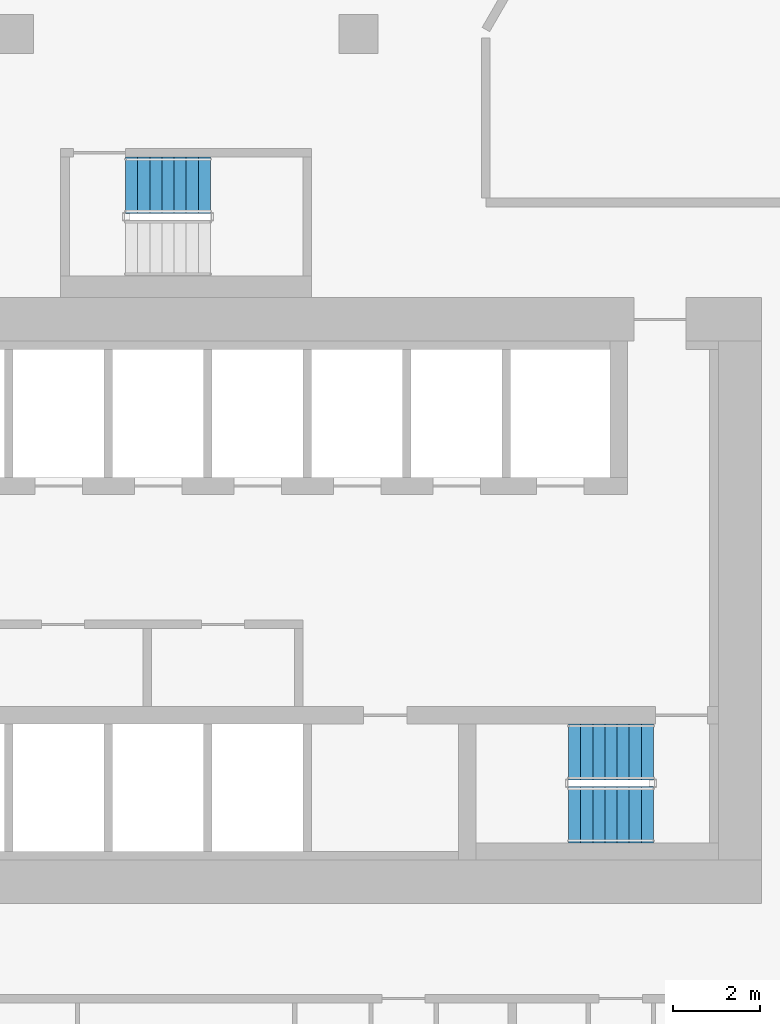
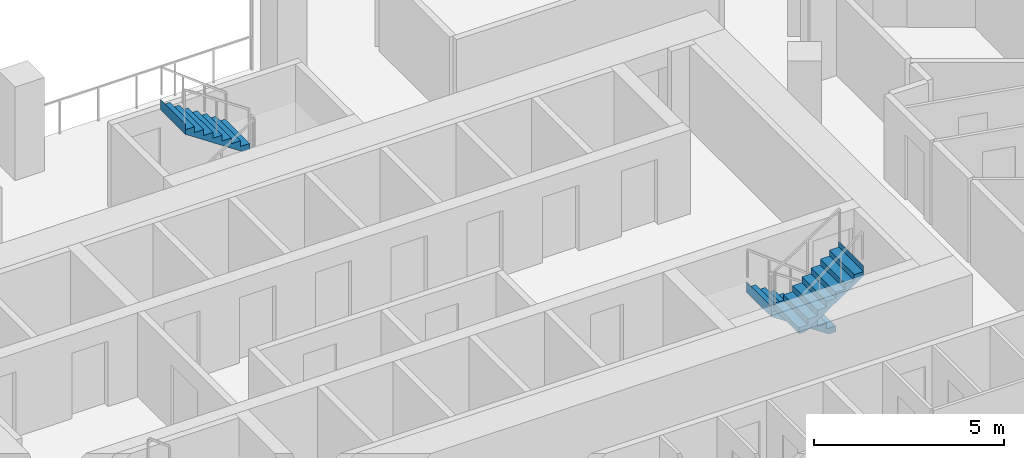
# One storey, part 11 of 15: 3 stair flights, 2 elements without a shape of their own.
"""IFC4 building model written with IfcOpenShell, lengths in metres."""

import ifcopenshell
import ifcopenshell.guid

model = None  # the IFC model being written
_history = None  # IfcOwnerHistory: only IFC2X3 demands one
_inside = {}  # id of a spatial element -> (the spatial element, [elements in it])
_under = {}  # id of a project, library or spatial element -> (it, [spatial elements below it])
_declared = {}  # id of a project -> (the project, [libraries it declares])
_typed = {}  # id of a type object -> (the type object, [elements of that type])
_made_of = {}  # id of a material, layer set ... -> (it, [elements and type objects made of it])


def new_model(schema):
    """Start an empty IFC model of exactly this schema.

    Asked for "IFC4X3", IfcOpenShell would pick the latest addendum, in which some entities
    have other attributes; the version numbers below select the first issue.
    IFC2X3 requires an IfcOwnerHistory on every rooted entity: one is made here for all.
    """
    global model, _history
    if schema == "IFC4X3":
        model = ifcopenshell.file(schema_version=(4, 3, 0, 0))
    else:
        model = ifcopenshell.file(schema=schema)
    _inside.clear()
    _under.clear()
    _declared.clear()
    _typed.clear()
    _made_of.clear()
    _history = None
    if model.schema == "IFC2X3":
        org = make("IfcOrganization", Name="unknown")
        user = make(
            "IfcPersonAndOrganization",
            ThePerson=make("IfcPerson", FamilyName="unknown"),
            TheOrganization=org,
        )
        app = make(
            "IfcApplication",
            ApplicationDeveloper=org,
            Version="unknown",
            ApplicationFullName="unknown",
            ApplicationIdentifier="unknown",
        )
        _history = make(
            "IfcOwnerHistory",
            OwningUser=user,
            OwningApplication=app,
            ChangeAction="ADDED",
            CreationDate=0,
        )
    return model


def make(cls, **values):
    """One entity of the class cls with the attributes given. An attribute that is None is left unset."""
    return model.create_entity(
        cls, **{name: value for name, value in values.items() if value is not None}
    )


def rooted(cls, **values):
    """An entity with a GlobalId (a new one), such as an element, a storey or a relation."""
    return make(cls, GlobalId=ifcopenshell.guid.new(), OwnerHistory=_history, **values)


def si_unit(unit_type, name, prefix=None):
    """IfcSIUnit, for example si_unit("LENGTHUNIT", "METRE", prefix="MILLI")."""
    return make("IfcSIUnit", UnitType=unit_type, Prefix=prefix, Name=name)


def assignment(units):
    """IfcUnitAssignment: the units of a project."""
    return None if units is None else make("IfcUnitAssignment", Units=units)


def point(xyz):
    """IfcCartesianPoint."""
    return None if xyz is None else make("IfcCartesianPoint", Coordinates=xyz)


def direction(xyz):
    """IfcDirection."""
    return None if xyz is None else make("IfcDirection", DirectionRatios=xyz)


def frame(location, z_axis=None, x_axis=None):
    """IfcAxis2Placement3D, a coordinate frame: its origin and axes. An axis left out is left unset."""
    return make(
        "IfcAxis2Placement3D",
        Location=point(location),
        Axis=direction(z_axis),
        RefDirection=direction(x_axis),
    )


def origin():
    """The frame at (0, 0, 0) with its axes left unset."""
    return frame((0.0, 0.0, 0.0))


def place(relative_to, where):
    """IfcLocalPlacement: puts the frame where relative to a parent placement (None: the world)."""
    return make(
        "IfcLocalPlacement", PlacementRelTo=relative_to, RelativePlacement=where
    )


def context(
    kind, dimensions, precision=None, world=None, true_north=None, identifier=None
):
    """IfcGeometricRepresentationContext, for example the 3D "Model" context."""
    return make(
        "IfcGeometricRepresentationContext",
        ContextIdentifier=identifier,
        ContextType=kind,
        CoordinateSpaceDimension=dimensions,
        Precision=precision,
        WorldCoordinateSystem=world,
        TrueNorth=true_north,
    )


def subcontext(parent, identifier, kind, view, scale=None):
    """IfcGeometricRepresentationSubContext, for example "Body" below "Model"."""
    return make(
        "IfcGeometricRepresentationSubContext",
        ContextIdentifier=identifier,
        ContextType=kind,
        ParentContext=parent,
        TargetScale=scale,
        TargetView=view,
    )


def project(units=None, contexts=None):
    """IfcProject with its units and contexts."""
    return rooted(
        "IfcProject",
        Name="project",
        RepresentationContexts=contexts,
        UnitsInContext=assignment(units),
    )


def spatial(cls, under=None, at=None, **own):
    """A site, building, storey or space (cls), placed at a placement, below another one or the project."""
    s = rooted(cls, ObjectPlacement=at, **own)
    if under is not None:
        _under.setdefault(under.id(), (under, []))[1].append(s)
    return s


def point_list(points):
    """IfcCartesianPointList2D or 3D."""
    cls = (
        "IfcCartesianPointList2D" if len(points[0]) == 2 else "IfcCartesianPointList3D"
    )
    return make(cls, CoordList=points)


def triangles(points, corners, closed=None, point_numbers=None):
    """IfcTriangulatedFaceSet: each triangle names its three corners, points numbered from 1."""
    return make(
        "IfcTriangulatedFaceSet",
        Coordinates=point_list(points),
        Closed=closed,
        CoordIndex=corners,
        PnIndex=point_numbers,
    )


def shape(context_of_items, identifier, shape_type, items):
    """IfcShapeRepresentation: the items that make up one representation, for example the "Body"."""
    return make(
        "IfcShapeRepresentation",
        ContextOfItems=context_of_items,
        RepresentationIdentifier=identifier,
        RepresentationType=shape_type,
        Items=items,
    )


def material(Name=None, Category=None):
    """IfcMaterial."""
    return make("IfcMaterial", Name=Name, Category=Category)


def made_of(thing, what):
    """Note that an element or type object is made of a material, layer set ...; save() writes the relation."""
    if what is not None:
        _made_of.setdefault(what.id(), (what, []))[1].append(thing)
    return thing


def type_object(cls, material=None, **own):
    """A type object (cls), such as IfcWallType, which elements share."""
    return made_of(rooted(cls, **own), material)


def element(
    cls,
    number,
    at=None,
    inside=None,
    cuts=None,
    type_object=None,
    material=None,
    context=None,
    identifier="Body",
    shape_type=None,
    held_by="IfcProductDefinitionShape",
    body=None,
    shapes=None,
    **own,
):
    """One element of the class cls, such as IfcWall. Its Tag is "e" and its number.

    at: its placement. inside: the storey or other place that contains it. cuts: it is an
    opening in that element (IfcRelVoidsElement). A single representation is given by context,
    identifier, shape_type and body (its items); several are given by shapes. held_by: the class
    of the entity that holds the representations. save() writes the other relations.
    """
    e = rooted(cls, Tag="e%d" % number, ObjectPlacement=at, **own)
    if body is not None:
        shapes = [shape(context, identifier, shape_type, body)]
    if shapes is not None:
        e.Representation = make(held_by, Representations=shapes)
    if inside is not None:
        _inside.setdefault(inside.id(), (inside, []))[1].append(e)
    if cuts is not None:
        rooted(
            "IfcRelVoidsElement", RelatingBuildingElement=cuts, RelatedOpeningElement=e
        )
    if type_object is not None:
        _typed.setdefault(type_object.id(), (type_object, []))[1].append(e)
    return made_of(e, material)


def aggregate(whole, parts):
    """IfcRelAggregates: a whole, such as a stair, and the parts it consists of."""
    return rooted("IfcRelAggregates", RelatingObject=whole, RelatedObjects=parts)


def save(model, path):
    """Write the relations noted so far, then the file.

    IfcRelAggregates (storeys below a building ...), IfcRelContainedInSpatialStructure (elements
    in a storey), IfcRelDefinesByType, IfcRelAssociatesMaterial and IfcRelDeclares: one each for
    every whole, place, type object, material and project.
    """
    for whole, parts in _under.values():
        aggregate(whole, parts)
    for where, things in _inside.values():
        rooted(
            "IfcRelContainedInSpatialStructure",
            RelatedElements=things,
            RelatingStructure=where,
        )
    for kind, things in _typed.values():
        rooted("IfcRelDefinesByType", RelatedObjects=things, RelatingType=kind)
    for what, things in _made_of.values():
        rooted("IfcRelAssociatesMaterial", RelatedObjects=things, RelatingMaterial=what)
    for by, libraries in _declared.values():
        rooted("IfcRelDeclares", RelatingContext=by, RelatedDefinitions=libraries)
    model.write(path)


model = new_model("IFC4")

# Units and contexts
model_context = context("Model", 3, precision=1e-05, world=origin(), true_north=direction((0.0, 1.0)))
body_context = subcontext(model_context, "Body", "Model", "MODEL_VIEW")
ifc_project = project(units=[si_unit("LENGTHUNIT", "METRE"), si_unit("AREAUNIT", "SQUARE_METRE"), si_unit("VOLUMEUNIT", "CUBIC_METRE"), si_unit("PLANEANGLEUNIT", "RADIAN"), si_unit("MASSUNIT", "GRAM", prefix="KILO")], contexts=[model_context])

# Site, building, storey
site_placement = place(None, origin())
site = spatial("IfcSite", under=ifc_project, at=site_placement, CompositionType="ELEMENT")
building_placement = place(site_placement, origin())
building = spatial("IfcBuilding", under=site, at=building_placement, Name="Beryl Residences", CompositionType="ELEMENT")
storey_placement = place(building_placement, frame((0.0, 0.0, 72.0)))
storey = spatial("IfcBuildingStorey", under=building, at=storey_placement, Name="L21", CompositionType="ELEMENT", Elevation=72.0)

# Stair, stair flights
ifc_material_1 = material(Name="Concrete C40/50", Category="concrete")
stair_type = type_object("IfcStairType", Name="ST1 protected exit stair, half-turn, 1300 mm flights", PredefinedType="HALF_TURN_STAIR", material=ifc_material_1)
stair_1_placement = place(storey_placement, origin())
stair_1 = element("IfcStair", 1, at=stair_1_placement, inside=storey, type_object=stair_type, Name="L21 PROTECTED EXIT STAIR ST-3", PredefinedType="HALF_TURN_STAIR")
ifc_material_2 = material(Name="Concrete C40/50", Category="concrete")
stair_flight_type = type_object("IfcStairFlightType", Name="SF1 stair flight 1300 mm", PredefinedType="STRAIGHT", material=ifc_material_2)
stair_flight_1_placement = place(storey_placement, frame((10.800048828125, -15.5, 0.0), z_axis=(0.0, 0.0, 1.0), x_axis=(-1.0, 0.0, 0.0)))
stair_flight_1 = element("IfcStairFlight", 2, at=stair_flight_1_placement, type_object=stair_flight_type, Name="ST-3 flight 1", NumberOfRisers=8, NumberOfTreads=7, PredefinedType="STRAIGHT", RiserHeight=0.1875, TreadLength=0.28, context=body_context, shape_type="Tessellation", body=[
    triangles([(0.0, -0.64990234375, 0.0), (0.0, -0.324951171875, 0.0), (0.0, 0.0, 0.0), (0.0, 0.324951171875, 0.0), (0.0, 0.64990234375, 0.0), (0.0, -0.64990234375, 0.1875), (0.0, -0.324951171875, 0.1875), (0.0, 0.0, 0.1875), (0.0, 0.324951171875, 0.1875), (0.0, 0.64990234375, 0.1875), (0.280029296875, -0.64990234375, 0.1875), (0.280029296875, -0.324951171875, 0.1875), (0.280029296875, 0.0, 0.1875), (0.280029296875, 0.324951171875, 0.1875), (0.280029296875, 0.64990234375, 0.1875), (0.280029296875, -0.64990234375, 0.375), (0.280029296875, -0.324951171875, 0.375), (0.280029296875, 0.0, 0.375), (0.280029296875, 0.324951171875, 0.375), (0.280029296875, 0.64990234375, 0.375), (0.56005859375, -0.64990234375, 0.375), (0.56005859375, -0.324951171875, 0.375), (0.56005859375, 0.0, 0.375), (0.56005859375, 0.324951171875, 0.375), (0.56005859375, 0.64990234375, 0.375), (0.56005859375, -0.64990234375, 0.5625), (0.56005859375, -0.324951171875, 0.5625), (0.56005859375, 0.0, 0.5625), (0.56005859375, 0.324951171875, 0.5625), (0.56005859375, 0.64990234375, 0.5625), (0.840087890625, -0.64990234375, 0.5625), (0.840087890625, -0.324951171875, 0.5625), (0.840087890625, 0.0, 0.5625), (0.840087890625, 0.324951171875, 0.5625), (0.840087890625, 0.64990234375, 0.5625), (0.840087890625, -0.64990234375, 0.75), (0.840087890625, -0.324951171875, 0.75), (0.840087890625, 0.0, 0.75), (0.840087890625, 0.324951171875, 0.75), (0.840087890625, 0.64990234375, 0.75), (1.1201171875, -0.64990234375, 0.75), (1.1201171875, -0.324951171875, 0.75), (1.1201171875, 0.0, 0.75), (1.1201171875, 0.324951171875, 0.75), (1.1201171875, 0.64990234375, 0.75), (1.1201171875, -0.64990234375, 0.9375), (1.1201171875, -0.324951171875, 0.9375), (1.1201171875, 0.0, 0.9375), (1.1201171875, 0.324951171875, 0.9375), (1.1201171875, 0.64990234375, 0.9375), (1.39990234375, -0.64990234375, 0.9375), (1.39990234375, -0.324951171875, 0.9375), (1.39990234375, 0.0, 0.9375), (1.39990234375, 0.324951171875, 0.9375), (1.39990234375, 0.64990234375, 0.9375), (1.39990234375, -0.64990234375, 1.125), (1.39990234375, -0.324951171875, 1.125), (1.39990234375, 0.0, 1.125), (1.39990234375, 0.324951171875, 1.125), (1.39990234375, 0.64990234375, 1.125), (1.679931640625, -0.64990234375, 1.125), (1.679931640625, -0.324951171875, 1.125), (1.679931640625, 0.0, 1.125), (1.679931640625, 0.324951171875, 1.125), (1.679931640625, 0.64990234375, 1.125), (1.679931640625, -0.64990234375, 1.3125), (1.679931640625, -0.324951171875, 1.3125), (1.679931640625, 0.0, 1.3125), (1.679931640625, 0.324951171875, 1.3125), (1.679931640625, 0.64990234375, 1.3125), (1.9599609375, -0.64990234375, 1.3125), (1.9599609375, -0.324951171875, 1.3125), (1.9599609375, 0.0, 1.3125), (1.9599609375, 0.324951171875, 1.3125), (1.9599609375, 0.64990234375, 1.3125), (1.9599609375, -0.64990234375, 1.5), (1.9599609375, -0.324951171875, 1.5), (1.9599609375, 0.0, 1.5), (1.9599609375, 0.324951171875, 1.5), (1.9599609375, 0.64990234375, 1.5), (1.9609375, -0.64990234375, 1.5), (1.9609375, -0.324951171875, 1.5), (1.9609375, 0.0, 1.5), (1.9609375, 0.324951171875, 1.5), (1.9609375, 0.64990234375, 1.5), (1.9609375, -0.64990234375, 1.16796875), (1.9609375, -0.324951171875, 1.16796875), (1.9609375, 0.0, 1.16796875), (1.9609375, 0.324951171875, 1.16796875), (1.9609375, 0.64990234375, 1.16796875), (0.216796875, -0.64990234375, 0.0), (0.216796875, -0.324951171875, 0.0), (0.216796875, 0.0, 0.0), (0.216796875, 0.324951171875, 0.0), (0.216796875, 0.64990234375, 0.0)], [[1, 6, 7], [1, 7, 2], [2, 7, 8], [2, 8, 3], [3, 8, 9], [3, 9, 4], [4, 9, 10], [4, 10, 5], [6, 11, 12], [6, 12, 7], [7, 12, 13], [7, 13, 8], [8, 13, 14], [8, 14, 9], [9, 14, 15], [9, 15, 10], [11, 16, 17], [11, 17, 12], [12, 17, 18], [12, 18, 13], [13, 18, 19], [13, 19, 14], [14, 19, 20], [14, 20, 15], [16, 21, 22], [16, 22, 17], [17, 22, 23], [17, 23, 18], [18, 23, 24], [18, 24, 19], [19, 24, 25], [19, 25, 20], [21, 26, 27], [21, 27, 22], [22, 27, 28], [22, 28, 23], [23, 28, 29], [23, 29, 24], [24, 29, 30], [24, 30, 25], [26, 31, 32], [26, 32, 27], [27, 32, 33], [27, 33, 28], [28, 33, 34], [28, 34, 29], [29, 34, 35], [29, 35, 30], [31, 36, 37], [31, 37, 32], [32, 37, 38], [32, 38, 33], [33, 38, 39], [33, 39, 34], [34, 39, 40], [34, 40, 35], [36, 41, 42], [36, 42, 37], [37, 42, 43], [37, 43, 38], [38, 43, 44], [38, 44, 39], [39, 44, 45], [39, 45, 40], [41, 46, 47], [41, 47, 42], [42, 47, 48], [42, 48, 43], [43, 48, 49], [43, 49, 44], [44, 49, 50], [44, 50, 45], [46, 51, 52], [46, 52, 47], [47, 52, 53], [47, 53, 48], [48, 53, 54], [48, 54, 49], [49, 54, 55], [49, 55, 50], [51, 56, 57], [51, 57, 52], [52, 57, 58], [52, 58, 53], [53, 58, 59], [53, 59, 54], [54, 59, 60], [54, 60, 55], [56, 61, 62], [56, 62, 57], [57, 62, 63], [57, 63, 58], [58, 63, 64], [58, 64, 59], [59, 64, 65], [59, 65, 60], [61, 66, 67], [61, 67, 62], [62, 67, 68], [62, 68, 63], [63, 68, 69], [63, 69, 64], [64, 69, 70], [64, 70, 65], [66, 71, 72], [66, 72, 67], [67, 72, 73], [67, 73, 68], [68, 73, 74], [68, 74, 69], [69, 74, 75], [69, 75, 70], [71, 76, 77], [71, 77, 72], [72, 77, 78], [72, 78, 73], [73, 78, 79], [73, 79, 74], [74, 79, 80], [74, 80, 75], [76, 81, 82], [76, 82, 77], [77, 82, 83], [77, 83, 78], [78, 83, 84], [78, 84, 79], [79, 84, 85], [79, 85, 80], [81, 86, 87], [81, 87, 82], [82, 87, 88], [82, 88, 83], [83, 88, 89], [83, 89, 84], [84, 89, 90], [84, 90, 85], [86, 91, 92], [86, 92, 87], [87, 92, 93], [87, 93, 88], [88, 93, 94], [88, 94, 89], [89, 94, 95], [89, 95, 90], [91, 1, 2], [91, 2, 92], [92, 2, 3], [92, 3, 93], [93, 3, 4], [93, 4, 94], [94, 4, 5], [94, 5, 95], [1, 91, 86], [5, 90, 95], [86, 81, 76], [90, 80, 85], [86, 76, 71], [90, 75, 80], [86, 71, 66], [90, 70, 75], [86, 66, 61], [90, 65, 70], [61, 56, 51], [65, 55, 60], [86, 61, 51], [90, 55, 65], [51, 46, 41], [55, 45, 50], [86, 51, 41], [90, 45, 55], [41, 36, 31], [45, 35, 40], [86, 41, 31], [90, 35, 45], [31, 26, 21], [35, 25, 30], [86, 31, 21], [90, 25, 35], [21, 16, 11], [25, 15, 20], [86, 21, 11], [90, 15, 25], [1, 86, 11], [5, 15, 90], [11, 6, 1], [15, 5, 10]], closed=True),
])
stair_flight_2_placement = place(storey_placement, frame((8.840087890625, -16.949951171875, 1.5), z_axis=(0.0, 0.0, 1.0), x_axis=(1.0, 0.0, 0.0)))
stair_flight_2 = element("IfcStairFlight", 3, at=stair_flight_2_placement, type_object=stair_flight_type, Name="ST-3 flight 2", NumberOfRisers=8, NumberOfTreads=7, PredefinedType="STRAIGHT", RiserHeight=0.1875, TreadLength=0.28, context=body_context, shape_type="Tessellation", body=[
    triangles([(0.0, -0.64990234375, 0.0), (0.0, -0.324951171875, 0.0), (0.0, 0.0, 0.0), (0.0, 0.324951171875, 0.0), (0.0, 0.64990234375, 0.0), (0.0, -0.64990234375, 0.1875), (0.0, -0.324951171875, 0.1875), (0.0, 0.0, 0.1875), (0.0, 0.324951171875, 0.1875), (0.0, 0.64990234375, 0.1875), (0.280029296875, -0.64990234375, 0.1875), (0.280029296875, -0.324951171875, 0.1875), (0.280029296875, 0.0, 0.1875), (0.280029296875, 0.324951171875, 0.1875), (0.280029296875, 0.64990234375, 0.1875), (0.280029296875, -0.64990234375, 0.375), (0.280029296875, -0.324951171875, 0.375), (0.280029296875, 0.0, 0.375), (0.280029296875, 0.324951171875, 0.375), (0.280029296875, 0.64990234375, 0.375), (0.56005859375, -0.64990234375, 0.375), (0.56005859375, -0.324951171875, 0.375), (0.56005859375, 0.0, 0.375), (0.56005859375, 0.324951171875, 0.375), (0.56005859375, 0.64990234375, 0.375), (0.56005859375, -0.64990234375, 0.5625), (0.56005859375, -0.324951171875, 0.5625), (0.56005859375, 0.0, 0.5625), (0.56005859375, 0.324951171875, 0.5625), (0.56005859375, 0.64990234375, 0.5625), (0.840087890625, -0.64990234375, 0.5625), (0.840087890625, -0.324951171875, 0.5625), (0.840087890625, 0.0, 0.5625), (0.840087890625, 0.324951171875, 0.5625), (0.840087890625, 0.64990234375, 0.5625), (0.840087890625, -0.64990234375, 0.75), (0.840087890625, -0.324951171875, 0.75), (0.840087890625, 0.0, 0.75), (0.840087890625, 0.324951171875, 0.75), (0.840087890625, 0.64990234375, 0.75), (1.1201171875, -0.64990234375, 0.75), (1.1201171875, -0.324951171875, 0.75), (1.1201171875, 0.0, 0.75), (1.1201171875, 0.324951171875, 0.75), (1.1201171875, 0.64990234375, 0.75), (1.1201171875, -0.64990234375, 0.9375), (1.1201171875, -0.324951171875, 0.9375), (1.1201171875, 0.0, 0.9375), (1.1201171875, 0.324951171875, 0.9375), (1.1201171875, 0.64990234375, 0.9375), (1.39990234375, -0.64990234375, 0.9375), (1.39990234375, -0.324951171875, 0.9375), (1.39990234375, 0.0, 0.9375), (1.39990234375, 0.324951171875, 0.9375), (1.39990234375, 0.64990234375, 0.9375), (1.39990234375, -0.64990234375, 1.125), (1.39990234375, -0.324951171875, 1.125), (1.39990234375, 0.0, 1.125), (1.39990234375, 0.324951171875, 1.125), (1.39990234375, 0.64990234375, 1.125), (1.679931640625, -0.64990234375, 1.125), (1.679931640625, -0.324951171875, 1.125), (1.679931640625, 0.0, 1.125), (1.679931640625, 0.324951171875, 1.125), (1.679931640625, 0.64990234375, 1.125), (1.679931640625, -0.64990234375, 1.3125), (1.679931640625, -0.324951171875, 1.3125), (1.679931640625, 0.0, 1.3125), (1.679931640625, 0.324951171875, 1.3125), (1.679931640625, 0.64990234375, 1.3125), (1.9599609375, -0.64990234375, 1.3125), (1.9599609375, -0.324951171875, 1.3125), (1.9599609375, 0.0, 1.3125), (1.9599609375, 0.324951171875, 1.3125), (1.9599609375, 0.64990234375, 1.3125), (1.9599609375, -0.64990234375, 1.5), (1.9599609375, -0.324951171875, 1.5), (1.9599609375, 0.0, 1.5), (1.9599609375, 0.324951171875, 1.5), (1.9599609375, 0.64990234375, 1.5), (1.9609375, -0.64990234375, 1.5), (1.9609375, -0.324951171875, 1.5), (1.9609375, 0.0, 1.5), (1.9609375, 0.324951171875, 1.5), (1.9609375, 0.64990234375, 1.5), (1.9609375, -0.64990234375, 1.16796875), (1.9609375, -0.324951171875, 1.16796875), (1.9609375, 0.0, 1.16796875), (1.9609375, 0.324951171875, 1.16796875), (1.9609375, 0.64990234375, 1.16796875), (0.216796875, -0.64990234375, 0.0), (0.216796875, -0.324951171875, 0.0), (0.216796875, 0.0, 0.0), (0.216796875, 0.324951171875, 0.0), (0.216796875, 0.64990234375, 0.0)], [[1, 6, 7], [1, 7, 2], [2, 7, 8], [2, 8, 3], [3, 8, 9], [3, 9, 4], [4, 9, 10], [4, 10, 5], [6, 11, 12], [6, 12, 7], [7, 12, 13], [7, 13, 8], [8, 13, 14], [8, 14, 9], [9, 14, 15], [9, 15, 10], [11, 16, 17], [11, 17, 12], [12, 17, 18], [12, 18, 13], [13, 18, 19], [13, 19, 14], [14, 19, 20], [14, 20, 15], [16, 21, 22], [16, 22, 17], [17, 22, 23], [17, 23, 18], [18, 23, 24], [18, 24, 19], [19, 24, 25], [19, 25, 20], [21, 26, 27], [21, 27, 22], [22, 27, 28], [22, 28, 23], [23, 28, 29], [23, 29, 24], [24, 29, 30], [24, 30, 25], [26, 31, 32], [26, 32, 27], [27, 32, 33], [27, 33, 28], [28, 33, 34], [28, 34, 29], [29, 34, 35], [29, 35, 30], [31, 36, 37], [31, 37, 32], [32, 37, 38], [32, 38, 33], [33, 38, 39], [33, 39, 34], [34, 39, 40], [34, 40, 35], [36, 41, 42], [36, 42, 37], [37, 42, 43], [37, 43, 38], [38, 43, 44], [38, 44, 39], [39, 44, 45], [39, 45, 40], [41, 46, 47], [41, 47, 42], [42, 47, 48], [42, 48, 43], [43, 48, 49], [43, 49, 44], [44, 49, 50], [44, 50, 45], [46, 51, 52], [46, 52, 47], [47, 52, 53], [47, 53, 48], [48, 53, 54], [48, 54, 49], [49, 54, 55], [49, 55, 50], [51, 56, 57], [51, 57, 52], [52, 57, 58], [52, 58, 53], [53, 58, 59], [53, 59, 54], [54, 59, 60], [54, 60, 55], [56, 61, 62], [56, 62, 57], [57, 62, 63], [57, 63, 58], [58, 63, 64], [58, 64, 59], [59, 64, 65], [59, 65, 60], [61, 66, 67], [61, 67, 62], [62, 67, 68], [62, 68, 63], [63, 68, 69], [63, 69, 64], [64, 69, 70], [64, 70, 65], [66, 71, 72], [66, 72, 67], [67, 72, 73], [67, 73, 68], [68, 73, 74], [68, 74, 69], [69, 74, 75], [69, 75, 70], [71, 76, 77], [71, 77, 72], [72, 77, 78], [72, 78, 73], [73, 78, 79], [73, 79, 74], [74, 79, 80], [74, 80, 75], [76, 81, 82], [76, 82, 77], [77, 82, 83], [77, 83, 78], [78, 83, 84], [78, 84, 79], [79, 84, 85], [79, 85, 80], [81, 86, 87], [81, 87, 82], [82, 87, 88], [82, 88, 83], [83, 88, 89], [83, 89, 84], [84, 89, 90], [84, 90, 85], [86, 91, 92], [86, 92, 87], [87, 92, 93], [87, 93, 88], [88, 93, 94], [88, 94, 89], [89, 94, 95], [89, 95, 90], [91, 1, 2], [91, 2, 92], [92, 2, 3], [92, 3, 93], [93, 3, 4], [93, 4, 94], [94, 4, 5], [94, 5, 95], [1, 91, 86], [5, 90, 95], [86, 81, 76], [90, 80, 85], [86, 76, 71], [90, 75, 80], [86, 71, 66], [90, 70, 75], [86, 66, 61], [90, 65, 70], [61, 56, 51], [65, 55, 60], [86, 61, 51], [90, 55, 65], [51, 46, 41], [55, 45, 50], [86, 51, 41], [90, 45, 55], [41, 36, 31], [45, 35, 40], [86, 41, 31], [90, 35, 45], [31, 26, 21], [35, 25, 30], [86, 31, 21], [90, 25, 35], [21, 16, 11], [25, 15, 20], [86, 21, 11], [90, 15, 25], [1, 86, 11], [5, 15, 90], [11, 6, 1], [15, 5, 10]], closed=True),
])
aggregate(stair_1, [stair_flight_1, stair_flight_2])

# Stair, stair flight
stair_2_placement = place(storey_placement, origin())
stair_2 = element("IfcStair", 4, at=stair_2_placement, inside=storey, type_object=stair_type, Name="L21 PROTECTED EXIT STAIR ST-4", PredefinedType="HALF_TURN_STAIR")
stair_flight_3_placement = place(storey_placement, frame((0.56005859375, -2.39990234375, 1.5), z_axis=(0.0, 0.0, 1.0), x_axis=(-1.0, 0.0, 0.0)))
stair_flight_3 = element("IfcStairFlight", 5, at=stair_flight_3_placement, type_object=stair_flight_type, Name="ST-4 flight 2", NumberOfRisers=8, NumberOfTreads=7, PredefinedType="STRAIGHT", RiserHeight=0.1875, TreadLength=0.28, context=body_context, shape_type="Tessellation", body=[
    triangles([(0.0, -0.64990234375, 0.0), (0.0, -0.324951171875, 0.0), (0.0, 0.0, 0.0), (0.0, 0.324951171875, 0.0), (0.0, 0.64990234375, 0.0), (0.0, -0.64990234375, 0.1875), (0.0, -0.324951171875, 0.1875), (0.0, 0.0, 0.1875), (0.0, 0.324951171875, 0.1875), (0.0, 0.64990234375, 0.1875), (0.280029296875, -0.64990234375, 0.1875), (0.280029296875, -0.324951171875, 0.1875), (0.280029296875, 0.0, 0.1875), (0.280029296875, 0.324951171875, 0.1875), (0.280029296875, 0.64990234375, 0.1875), (0.280029296875, -0.64990234375, 0.375), (0.280029296875, -0.324951171875, 0.375), (0.280029296875, 0.0, 0.375), (0.280029296875, 0.324951171875, 0.375), (0.280029296875, 0.64990234375, 0.375), (0.56005859375, -0.64990234375, 0.375), (0.56005859375, -0.324951171875, 0.375), (0.56005859375, 0.0, 0.375), (0.56005859375, 0.324951171875, 0.375), (0.56005859375, 0.64990234375, 0.375), (0.56005859375, -0.64990234375, 0.5625), (0.56005859375, -0.324951171875, 0.5625), (0.56005859375, 0.0, 0.5625), (0.56005859375, 0.324951171875, 0.5625), (0.56005859375, 0.64990234375, 0.5625), (0.840087890625, -0.64990234375, 0.5625), (0.840087890625, -0.324951171875, 0.5625), (0.840087890625, 0.0, 0.5625), (0.840087890625, 0.324951171875, 0.5625), (0.840087890625, 0.64990234375, 0.5625), (0.840087890625, -0.64990234375, 0.75), (0.840087890625, -0.324951171875, 0.75), (0.840087890625, 0.0, 0.75), (0.840087890625, 0.324951171875, 0.75), (0.840087890625, 0.64990234375, 0.75), (1.1201171875, -0.64990234375, 0.75), (1.1201171875, -0.324951171875, 0.75), (1.1201171875, 0.0, 0.75), (1.1201171875, 0.324951171875, 0.75), (1.1201171875, 0.64990234375, 0.75), (1.1201171875, -0.64990234375, 0.9375), (1.1201171875, -0.324951171875, 0.9375), (1.1201171875, 0.0, 0.9375), (1.1201171875, 0.324951171875, 0.9375), (1.1201171875, 0.64990234375, 0.9375), (1.39990234375, -0.64990234375, 0.9375), (1.39990234375, -0.324951171875, 0.9375), (1.39990234375, 0.0, 0.9375), (1.39990234375, 0.324951171875, 0.9375), (1.39990234375, 0.64990234375, 0.9375), (1.39990234375, -0.64990234375, 1.125), (1.39990234375, -0.324951171875, 1.125), (1.39990234375, 0.0, 1.125), (1.39990234375, 0.324951171875, 1.125), (1.39990234375, 0.64990234375, 1.125), (1.679931640625, -0.64990234375, 1.125), (1.679931640625, -0.324951171875, 1.125), (1.679931640625, 0.0, 1.125), (1.679931640625, 0.324951171875, 1.125), (1.679931640625, 0.64990234375, 1.125), (1.679931640625, -0.64990234375, 1.3125), (1.679931640625, -0.324951171875, 1.3125), (1.679931640625, 0.0, 1.3125), (1.679931640625, 0.324951171875, 1.3125), (1.679931640625, 0.64990234375, 1.3125), (1.9599609375, -0.64990234375, 1.3125), (1.9599609375, -0.324951171875, 1.3125), (1.9599609375, 0.0, 1.3125), (1.9599609375, 0.324951171875, 1.3125), (1.9599609375, 0.64990234375, 1.3125), (1.9599609375, -0.64990234375, 1.5), (1.9599609375, -0.324951171875, 1.5), (1.9599609375, 0.0, 1.5), (1.9599609375, 0.324951171875, 1.5), (1.9599609375, 0.64990234375, 1.5), (1.9609375, -0.64990234375, 1.5), (1.9609375, -0.324951171875, 1.5), (1.9609375, 0.0, 1.5), (1.9609375, 0.324951171875, 1.5), (1.9609375, 0.64990234375, 1.5), (1.9609375, -0.64990234375, 1.16796875), (1.9609375, -0.324951171875, 1.16796875), (1.9609375, 0.0, 1.16796875), (1.9609375, 0.324951171875, 1.16796875), (1.9609375, 0.64990234375, 1.16796875), (0.216796875, -0.64990234375, 0.0), (0.216796875, -0.324951171875, 0.0), (0.216796875, 0.0, 0.0), (0.216796875, 0.324951171875, 0.0), (0.216796875, 0.64990234375, 0.0)], [[1, 6, 7], [1, 7, 2], [2, 7, 8], [2, 8, 3], [3, 8, 9], [3, 9, 4], [4, 9, 10], [4, 10, 5], [6, 11, 12], [6, 12, 7], [7, 12, 13], [7, 13, 8], [8, 13, 14], [8, 14, 9], [9, 14, 15], [9, 15, 10], [11, 16, 17], [11, 17, 12], [12, 17, 18], [12, 18, 13], [13, 18, 19], [13, 19, 14], [14, 19, 20], [14, 20, 15], [16, 21, 22], [16, 22, 17], [17, 22, 23], [17, 23, 18], [18, 23, 24], [18, 24, 19], [19, 24, 25], [19, 25, 20], [21, 26, 27], [21, 27, 22], [22, 27, 28], [22, 28, 23], [23, 28, 29], [23, 29, 24], [24, 29, 30], [24, 30, 25], [26, 31, 32], [26, 32, 27], [27, 32, 33], [27, 33, 28], [28, 33, 34], [28, 34, 29], [29, 34, 35], [29, 35, 30], [31, 36, 37], [31, 37, 32], [32, 37, 38], [32, 38, 33], [33, 38, 39], [33, 39, 34], [34, 39, 40], [34, 40, 35], [36, 41, 42], [36, 42, 37], [37, 42, 43], [37, 43, 38], [38, 43, 44], [38, 44, 39], [39, 44, 45], [39, 45, 40], [41, 46, 47], [41, 47, 42], [42, 47, 48], [42, 48, 43], [43, 48, 49], [43, 49, 44], [44, 49, 50], [44, 50, 45], [46, 51, 52], [46, 52, 47], [47, 52, 53], [47, 53, 48], [48, 53, 54], [48, 54, 49], [49, 54, 55], [49, 55, 50], [51, 56, 57], [51, 57, 52], [52, 57, 58], [52, 58, 53], [53, 58, 59], [53, 59, 54], [54, 59, 60], [54, 60, 55], [56, 61, 62], [56, 62, 57], [57, 62, 63], [57, 63, 58], [58, 63, 64], [58, 64, 59], [59, 64, 65], [59, 65, 60], [61, 66, 67], [61, 67, 62], [62, 67, 68], [62, 68, 63], [63, 68, 69], [63, 69, 64], [64, 69, 70], [64, 70, 65], [66, 71, 72], [66, 72, 67], [67, 72, 73], [67, 73, 68], [68, 73, 74], [68, 74, 69], [69, 74, 75], [69, 75, 70], [71, 76, 77], [71, 77, 72], [72, 77, 78], [72, 78, 73], [73, 78, 79], [73, 79, 74], [74, 79, 80], [74, 80, 75], [76, 81, 82], [76, 82, 77], [77, 82, 83], [77, 83, 78], [78, 83, 84], [78, 84, 79], [79, 84, 85], [79, 85, 80], [81, 86, 87], [81, 87, 82], [82, 87, 88], [82, 88, 83], [83, 88, 89], [83, 89, 84], [84, 89, 90], [84, 90, 85], [86, 91, 92], [86, 92, 87], [87, 92, 93], [87, 93, 88], [88, 93, 94], [88, 94, 89], [89, 94, 95], [89, 95, 90], [91, 1, 2], [91, 2, 92], [92, 2, 3], [92, 3, 93], [93, 3, 4], [93, 4, 94], [94, 4, 5], [94, 5, 95], [1, 91, 86], [5, 90, 95], [86, 81, 76], [90, 80, 85], [86, 76, 71], [90, 75, 80], [86, 71, 66], [90, 70, 75], [86, 66, 61], [90, 65, 70], [61, 56, 51], [65, 55, 60], [86, 61, 51], [90, 55, 65], [51, 46, 41], [55, 45, 50], [86, 51, 41], [90, 45, 55], [41, 36, 31], [45, 35, 40], [86, 41, 31], [90, 35, 45], [31, 26, 21], [35, 25, 30], [86, 31, 21], [90, 25, 35], [21, 16, 11], [25, 15, 20], [86, 21, 11], [90, 15, 25], [1, 86, 11], [5, 15, 90], [11, 6, 1], [15, 5, 10]], closed=True),
])
aggregate(stair_2, [stair_flight_3])

save(model, "model.ifc")
